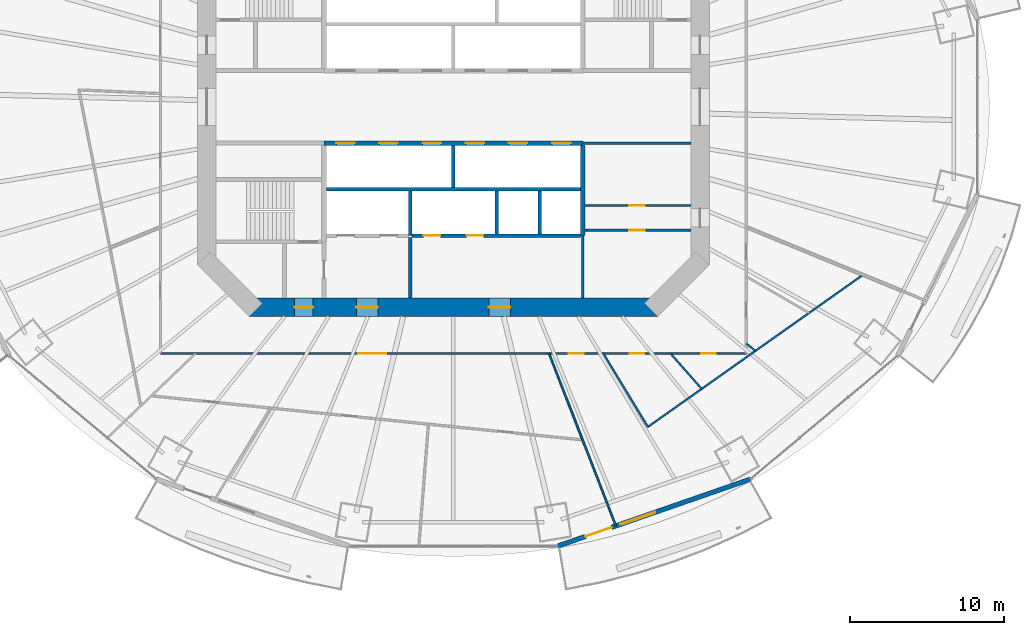
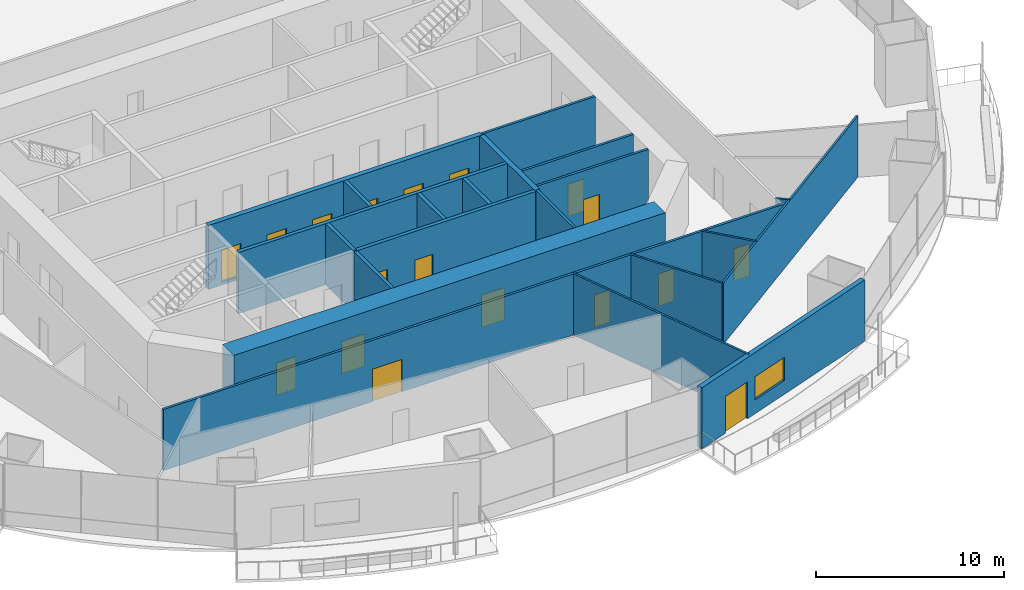
# One storey, part 14 of 22: 21 walls, 18 doors, 1 window, 19 openings.
"""IFC4 building model written with IfcOpenShell, lengths in metres."""

from ifc_helpers import new_model, si_unit, direction, frame, frame_2d, origin, place, context, subcontext, project, spatial, rectangle, extrude, material, layer, layer_set, type_object, element, fill, save


model = new_model("IFC4")

# Units and contexts
model_context = context("Model", 3, precision=1e-05, world=origin(), true_north=direction((0.0, 1.0)))
body_context = subcontext(model_context, "Body", "Model", "MODEL_VIEW")
ifc_project = project(units=[si_unit("LENGTHUNIT", "METRE"), si_unit("AREAUNIT", "SQUARE_METRE"), si_unit("VOLUMEUNIT", "CUBIC_METRE"), si_unit("PLANEANGLEUNIT", "RADIAN"), si_unit("MASSUNIT", "GRAM", prefix="KILO")], contexts=[model_context])

# Site, building, storey
site_placement = place(None, origin())
site = spatial("IfcSite", under=ifc_project, at=site_placement, CompositionType="ELEMENT")
building_placement = place(site_placement, origin())
building = spatial("IfcBuilding", under=site, at=building_placement, Name="Marenthal Gate Tower", CompositionType="ELEMENT")
storey_placement = place(building_placement, frame((0.0, 0.0, 99.39990234375)))
storey = spatial("IfcBuildingStorey", under=building, at=storey_placement, Name="L20", CompositionType="ELEMENT", Elevation=99.39990234375)

# Wall, openings, doors
ifc_material_1 = material(Name="Concrete 60 MPa", Category="concrete")
ifc_layer_1 = layer(ifc_material_1, 1.199951171875)
ifc_layer_set_1 = layer_set([ifc_layer_1], Name="Core shear wall 1200")
wall_type_1 = type_object("IfcWallType", Name="Core shear wall 1200", PredefinedType="SHEAR", material=ifc_layer_set_1)
wall_1_placement = place(storey_placement, frame((-13.24853515625, -13.0, -0.179931640625), z_axis=(0.0, 0.0, 1.0), x_axis=(1.0, 0.0, 0.0)))
wall_1 = element("IfcWall", 1, at=wall_1_placement, inside=storey, type_object=wall_type_1, Name="Core wall 08", PredefinedType="SHEAR", context=body_context, shape_type="SweptSolid", body=[
    extrude(rectangle(XDim=26.4970703125, YDim=1.199951171875, at=frame_2d((13.24853515625, 0.0))), origin(), (0.0, 0.0, 1.0), 4.150146484375),
])
opening_1_placement = place(wall_1_placement, frame((2.948486328125, 0.0, 0.179931640625)))
opening_1 = element("IfcOpeningElement", 2, at=opening_1_placement, cuts=wall_1, Name="Opening D001.06", PredefinedType="OPENING", context=body_context, shape_type="SweptSolid", body=[
    extrude(rectangle(XDim=1.199951171875, YDim=2.10009765625, at=frame_2d((0.60009765625, 1.050048828125))), frame((0.0, 0.60986328125, 0.0), z_axis=(0.0, -1.0, 0.0), x_axis=(1.0, 0.0, 0.0)), (0.0, 0.0, 1.0), 1.219970703125),
])
opening_2_placement = place(wall_1_placement, frame((6.948486328125, 0.0, 0.179931640625)))
opening_2 = element("IfcOpeningElement", 3, at=opening_2_placement, cuts=wall_1, Name="Opening D004.01", PredefinedType="OPENING", context=body_context, shape_type="SweptSolid", body=[
    extrude(rectangle(XDim=1.39990234375, YDim=2.10009765625, at=frame_2d((0.699951171875, 1.050048828125))), frame((0.0, 0.60986328125, 0.0), z_axis=(0.0, -1.0, 0.0), x_axis=(1.0, 0.0, 0.0)), (0.0, 0.0, 1.0), 1.219970703125),
])
opening_3_placement = place(wall_1_placement, frame((15.548583984375, 0.0, 0.179931640625)))
opening_3 = element("IfcOpeningElement", 4, at=opening_3_placement, cuts=wall_1, Name="Opening D004.02", PredefinedType="OPENING", context=body_context, shape_type="SweptSolid", body=[
    extrude(rectangle(XDim=1.39990234375, YDim=2.10009765625, at=frame_2d((0.699951171875, 1.050048828125))), frame((0.0, 0.60986328125, 0.0), z_axis=(0.0, -1.0, 0.0), x_axis=(1.0, 0.0, 0.0)), (0.0, 0.0, 1.0), 1.219970703125),
])
ifc_material_2 = material(Name="Steel fire door", Category="steel")
door_type_1 = type_object("IfcDoorType", Name="Fire door FD 45 1400 x 2100", OperationType="NOTDEFINED", PredefinedType="DOOR", material=ifc_material_2)
door_1_placement = place(opening_2_placement, origin())
door_1 = element("IfcDoor", 5, at=door_1_placement, inside=storey, type_object=door_type_1, Name="Door D004.01", OperationType="SINGLE_SWING_RIGHT", OverallHeight=2.10009765625, OverallWidth=1.39990234375, PredefinedType="DOOR", context=body_context, shape_type="SweptSolid", body=[
    extrude(rectangle(XDim=1.39990234375, YDim=2.10009765625, at=frame_2d((0.699951171875, 1.050048828125))), frame((0.0, 0.02490234375, 0.0), z_axis=(0.0, -1.0, 0.0), x_axis=(1.0, 0.0, 0.0)), (0.0, 0.0, 1.0), 0.050048828125),
])
fill(opening_2, door_1)
door_2_placement = place(opening_3_placement, origin())
door_2 = element("IfcDoor", 6, at=door_2_placement, inside=storey, type_object=door_type_1, Name="Door D004.02", OperationType="SINGLE_SWING_RIGHT", OverallHeight=2.10009765625, OverallWidth=1.39990234375, PredefinedType="DOOR", context=body_context, shape_type="SweptSolid", body=[
    extrude(rectangle(XDim=1.39990234375, YDim=2.10009765625, at=frame_2d((0.699951171875, 1.050048828125))), frame((0.0, 0.02490234375, 0.0), z_axis=(0.0, -1.0, 0.0), x_axis=(1.0, 0.0, 0.0)), (0.0, 0.0, 1.0), 0.050048828125),
])
fill(opening_3, door_2)
ifc_material_3 = material(Name="Steel fire door", Category="steel")
door_type_2 = type_object("IfcDoorType", Name="Fire door FD 90 1200 x 2100", OperationType="NOTDEFINED", PredefinedType="DOOR", material=ifc_material_3)
door_3_placement = place(opening_1_placement, origin())
door_3 = element("IfcDoor", 7, at=door_3_placement, inside=storey, type_object=door_type_2, Name="Door D001.06", OperationType="SINGLE_SWING_RIGHT", OverallHeight=2.10009765625, OverallWidth=1.199951171875, PredefinedType="DOOR", context=body_context, shape_type="SweptSolid", body=[
    extrude(rectangle(XDim=1.199951171875, YDim=2.10009765625, at=frame_2d((0.60009765625, 1.050048828125))), frame((0.0, 0.02490234375, 0.0), z_axis=(0.0, -1.0, 0.0), x_axis=(1.0, 0.0, 0.0)), (0.0, 0.0, 1.0), 0.050048828125),
])
fill(opening_1, door_3)

# Wall
ifc_material_4 = material(Name="Gypsum board on steel studs", Category="steel")
ifc_layer_2 = layer(ifc_material_4, 0.199951171875)
ifc_layer_set_2 = layer_set([ifc_layer_2], Name="Fire lobby wall 200")
wall_type_2 = type_object("IfcWallType", Name="Fire lobby wall 200", PredefinedType="PARTITIONING", material=ifc_layer_set_2)
wall_2_placement = place(storey_placement, frame((-2.800048828125, -12.39990234375, 0.0), z_axis=(0.0, 0.0, 1.0), x_axis=(0.0, 1.0, 0.0)))
element("IfcWall", 8, at=wall_2_placement, inside=storey, type_object=wall_type_2, Name="Fire wall 34", PredefinedType="PARTITIONING", context=body_context, shape_type="SweptSolid", body=[
    extrude(rectangle(XDim=3.93994140625, YDim=0.199951171875, at=frame_2d((1.969970703125, 0.0))), origin(), (0.0, 0.0, 1.0), 3.97021484375),
])

# Wall, openings, doors
ifc_material_5 = material(Name="Concrete 50 MPa", Category="concrete")
ifc_layer_3 = layer(ifc_material_5, 0.300048828125)
ifc_layer_set_3 = layer_set([ifc_layer_3], Name="Hoistway shear wall 300")
wall_type_3 = type_object("IfcWallType", Name="Hoistway shear wall 300", PredefinedType="SHEAR", material=ifc_layer_set_3)
wall_3_placement = place(storey_placement, frame((-8.39990234375, -2.35009765625, -0.179931640625), z_axis=(0.0, 0.0, 1.0), x_axis=(1.0, 0.0, 0.0)))
wall_3 = element("IfcWall", 9, at=wall_3_placement, inside=storey, type_object=wall_type_3, Name="Hoistway wall 17", PredefinedType="SHEAR", context=body_context, shape_type="SweptSolid", body=[
    extrude(rectangle(XDim=16.7998046875, YDim=0.300048828125, at=frame_2d((8.39990234375, 0.0))), origin(), (0.0, 0.0, 1.0), 4.150146484375),
])
opening_4_placement = place(wall_3_placement, frame((0.800048828125, 0.0, 0.179931640625)))
opening_4 = element("IfcOpeningElement", 10, at=opening_4_placement, cuts=wall_3, Name="Opening LD-LP7", PredefinedType="OPENING", context=body_context, shape_type="SweptSolid", body=[
    extrude(rectangle(XDim=1.199951171875, YDim=2.10009765625, at=frame_2d((0.60009765625, 1.050048828125))), frame((0.0, 0.16015625, 0.0), z_axis=(0.0, -1.0, 0.0), x_axis=(1.0, 0.0, 0.0)), (0.0, 0.0, 1.0), 0.320068359375),
])
opening_5_placement = place(wall_3_placement, frame((3.60009765625, 0.0, 0.179931640625)))
opening_5 = element("IfcOpeningElement", 11, at=opening_5_placement, cuts=wall_3, Name="Opening LD-LP8", PredefinedType="OPENING", context=body_context, shape_type="SweptSolid", body=[
    extrude(rectangle(XDim=1.199951171875, YDim=2.10009765625, at=frame_2d((0.60009765625, 1.050048828125))), frame((0.0, 0.16015625, 0.0), z_axis=(0.0, -1.0, 0.0), x_axis=(1.0, 0.0, 0.0)), (0.0, 0.0, 1.0), 0.320068359375),
])
opening_6_placement = place(wall_3_placement, frame((6.39990234375, 0.0, 0.179931640625)))
opening_6 = element("IfcOpeningElement", 12, at=opening_6_placement, cuts=wall_3, Name="Opening LD-LP9", PredefinedType="OPENING", context=body_context, shape_type="SweptSolid", body=[
    extrude(rectangle(XDim=1.199951171875, YDim=2.10009765625, at=frame_2d((0.60009765625, 1.050048828125))), frame((0.0, 0.16015625, 0.0), z_axis=(0.0, -1.0, 0.0), x_axis=(1.0, 0.0, 0.0)), (0.0, 0.0, 1.0), 0.320068359375),
])
opening_7_placement = place(wall_3_placement, frame((9.199951171875, 0.0, 0.179931640625)))
opening_7 = element("IfcOpeningElement", 13, at=opening_7_placement, cuts=wall_3, Name="Opening LD-LP10", PredefinedType="OPENING", context=body_context, shape_type="SweptSolid", body=[
    extrude(rectangle(XDim=1.199951171875, YDim=2.10009765625, at=frame_2d((0.60009765625, 1.050048828125))), frame((0.0, 0.16015625, 0.0), z_axis=(0.0, -1.0, 0.0), x_axis=(1.0, 0.0, 0.0)), (0.0, 0.0, 1.0), 0.320068359375),
])
opening_8_placement = place(wall_3_placement, frame((12.0, 0.0, 0.179931640625)))
opening_8 = element("IfcOpeningElement", 14, at=opening_8_placement, cuts=wall_3, Name="Opening LD-LP11", PredefinedType="OPENING", context=body_context, shape_type="SweptSolid", body=[
    extrude(rectangle(XDim=1.199951171875, YDim=2.10009765625, at=frame_2d((0.60009765625, 1.050048828125))), frame((0.0, 0.16015625, 0.0), z_axis=(0.0, -1.0, 0.0), x_axis=(1.0, 0.0, 0.0)), (0.0, 0.0, 1.0), 0.320068359375),
])
opening_9_placement = place(wall_3_placement, frame((14.800048828125, 0.0, 0.179931640625)))
opening_9 = element("IfcOpeningElement", 15, at=opening_9_placement, cuts=wall_3, Name="Opening LD-LP12", PredefinedType="OPENING", context=body_context, shape_type="SweptSolid", body=[
    extrude(rectangle(XDim=1.199951171875, YDim=2.10009765625, at=frame_2d((0.60009765625, 1.050048828125))), frame((0.0, 0.16015625, 0.0), z_axis=(0.0, -1.0, 0.0), x_axis=(1.0, 0.0, 0.0)), (0.0, 0.0, 1.0), 0.320068359375),
])
ifc_material_6 = material(Name="Stainless steel sliding door", Category="steel")
door_type_3 = type_object("IfcDoorType", Name="Lift landing door FD 90 1200 x 2100", OperationType="DOUBLE_DOOR_SLIDING", PredefinedType="DOOR", material=ifc_material_6)
door_4_placement = place(opening_4_placement, origin())
door_4 = element("IfcDoor", 16, at=door_4_placement, inside=storey, type_object=door_type_3, Name="Lift landing door LP7", OperationType="DOUBLE_DOOR_SLIDING", OverallHeight=2.10009765625, OverallWidth=1.199951171875, PredefinedType="DOOR", context=body_context, shape_type="SweptSolid", body=[
    extrude(rectangle(XDim=1.199951171875, YDim=2.10009765625, at=frame_2d((0.60009765625, 1.050048828125))), frame((0.0, 0.02490234375, 0.0), z_axis=(0.0, -1.0, 0.0), x_axis=(1.0, 0.0, 0.0)), (0.0, 0.0, 1.0), 0.050048828125),
])
fill(opening_4, door_4)
door_5_placement = place(opening_5_placement, origin())
door_5 = element("IfcDoor", 17, at=door_5_placement, inside=storey, type_object=door_type_3, Name="Lift landing door LP8", OperationType="DOUBLE_DOOR_SLIDING", OverallHeight=2.10009765625, OverallWidth=1.199951171875, PredefinedType="DOOR", context=body_context, shape_type="SweptSolid", body=[
    extrude(rectangle(XDim=1.199951171875, YDim=2.10009765625, at=frame_2d((0.60009765625, 1.050048828125))), frame((0.0, 0.02490234375, 0.0), z_axis=(0.0, -1.0, 0.0), x_axis=(1.0, 0.0, 0.0)), (0.0, 0.0, 1.0), 0.050048828125),
])
fill(opening_5, door_5)
door_6_placement = place(opening_6_placement, origin())
door_6 = element("IfcDoor", 18, at=door_6_placement, inside=storey, type_object=door_type_3, Name="Lift landing door LP9", OperationType="DOUBLE_DOOR_SLIDING", OverallHeight=2.10009765625, OverallWidth=1.199951171875, PredefinedType="DOOR", context=body_context, shape_type="SweptSolid", body=[
    extrude(rectangle(XDim=1.199951171875, YDim=2.10009765625, at=frame_2d((0.60009765625, 1.050048828125))), frame((0.0, 0.02490234375, 0.0), z_axis=(0.0, -1.0, 0.0), x_axis=(1.0, 0.0, 0.0)), (0.0, 0.0, 1.0), 0.050048828125),
])
fill(opening_6, door_6)
door_7_placement = place(opening_7_placement, origin())
door_7 = element("IfcDoor", 19, at=door_7_placement, inside=storey, type_object=door_type_3, Name="Lift landing door LP10", OperationType="DOUBLE_DOOR_SLIDING", OverallHeight=2.10009765625, OverallWidth=1.199951171875, PredefinedType="DOOR", context=body_context, shape_type="SweptSolid", body=[
    extrude(rectangle(XDim=1.199951171875, YDim=2.10009765625, at=frame_2d((0.60009765625, 1.050048828125))), frame((0.0, 0.02490234375, 0.0), z_axis=(0.0, -1.0, 0.0), x_axis=(1.0, 0.0, 0.0)), (0.0, 0.0, 1.0), 0.050048828125),
])
fill(opening_7, door_7)
door_8_placement = place(opening_8_placement, origin())
door_8 = element("IfcDoor", 20, at=door_8_placement, inside=storey, type_object=door_type_3, Name="Lift landing door LP11", OperationType="DOUBLE_DOOR_SLIDING", OverallHeight=2.10009765625, OverallWidth=1.199951171875, PredefinedType="DOOR", context=body_context, shape_type="SweptSolid", body=[
    extrude(rectangle(XDim=1.199951171875, YDim=2.10009765625, at=frame_2d((0.60009765625, 1.050048828125))), frame((0.0, 0.02490234375, 0.0), z_axis=(0.0, -1.0, 0.0), x_axis=(1.0, 0.0, 0.0)), (0.0, 0.0, 1.0), 0.050048828125),
])
fill(opening_8, door_8)
door_9_placement = place(opening_9_placement, origin())
door_9 = element("IfcDoor", 21, at=door_9_placement, inside=storey, type_object=door_type_3, Name="Lift landing door LP12", OperationType="DOUBLE_DOOR_SLIDING", OverallHeight=2.10009765625, OverallWidth=1.199951171875, PredefinedType="DOOR", context=body_context, shape_type="SweptSolid", body=[
    extrude(rectangle(XDim=1.199951171875, YDim=2.10009765625, at=frame_2d((0.60009765625, 1.050048828125))), frame((0.0, 0.02490234375, 0.0), z_axis=(0.0, -1.0, 0.0), x_axis=(1.0, 0.0, 0.0)), (0.0, 0.0, 1.0), 0.050048828125),
])
fill(opening_9, door_9)

# Wall
wall_4_placement = place(storey_placement, frame((8.39990234375, -8.35009765625, -0.179931640625), z_axis=(0.0, 0.0, 1.0), x_axis=(0.0, 1.0, 0.0)))
element("IfcWall", 22, at=wall_4_placement, inside=storey, type_object=wall_type_3, Name="Hoistway wall 43", PredefinedType="SHEAR", context=body_context, shape_type="SweptSolid", body=[
    extrude(rectangle(XDim=5.85009765625, YDim=0.300048828125, at=frame_2d((2.925048828125, 0.0))), origin(), (0.0, 0.0, 1.0), 4.150146484375),
])

# Wall, openings, doors
ifc_material_7 = material(Name="Concrete 40 MPa", Category="concrete")
ifc_layer_4 = layer(ifc_material_7, 0.219970703125)
ifc_layer_set_4 = layer_set([ifc_layer_4], Name="Hoistway wall 220")
wall_type_4 = type_object("IfcWallType", Name="Hoistway wall 220", PredefinedType="STANDARD", material=ifc_layer_set_4)
wall_5_placement = place(storey_placement, frame((-2.68994140625, -8.35009765625, 0.0), z_axis=(0.0, 0.0, 1.0), x_axis=(1.0, 0.0, 0.0)))
wall_5 = element("IfcWall", 23, at=wall_5_placement, inside=storey, type_object=wall_type_4, Name="Hoistway wall 11", PredefinedType="STANDARD", context=body_context, shape_type="SweptSolid", body=[
    extrude(rectangle(XDim=10.93994140625, YDim=0.219970703125, at=frame_2d((5.469970703125, 0.0))), origin(), (0.0, 0.0, 1.0), 3.97021484375),
])
opening_10_placement = place(wall_5_placement, frame((0.739990234375, 0.0, 0.0)))
opening_10 = element("IfcOpeningElement", 24, at=opening_10_placement, cuts=wall_5, Name="Opening LD-SV1", PredefinedType="OPENING", context=body_context, shape_type="SweptSolid", body=[
    extrude(rectangle(XDim=1.10009765625, YDim=2.10009765625, at=frame_2d((0.550048828125, 1.050048828125))), frame((0.0, 0.1201171875, 0.0), z_axis=(0.0, -1.0, 0.0), x_axis=(1.0, 0.0, 0.0)), (0.0, 0.0, 1.0), 0.239990234375),
])
opening_11_placement = place(wall_5_placement, frame((3.5400390625, 0.0, 0.0)))
opening_11 = element("IfcOpeningElement", 25, at=opening_11_placement, cuts=wall_5, Name="Opening LD-SV2", PredefinedType="OPENING", context=body_context, shape_type="SweptSolid", body=[
    extrude(rectangle(XDim=1.10009765625, YDim=2.10009765625, at=frame_2d((0.550048828125, 1.050048828125))), frame((0.0, 0.1201171875, 0.0), z_axis=(0.0, -1.0, 0.0), x_axis=(1.0, 0.0, 0.0)), (0.0, 0.0, 1.0), 0.239990234375),
])
ifc_material_8 = material(Name="Stainless steel sliding door", Category="steel")
door_type_4 = type_object("IfcDoorType", Name="Lift landing door FD 90 1100 x 2100", OperationType="DOUBLE_DOOR_SLIDING", PredefinedType="DOOR", material=ifc_material_8)
door_10_placement = place(opening_10_placement, origin())
door_10 = element("IfcDoor", 26, at=door_10_placement, inside=storey, type_object=door_type_4, Name="Lift landing door SV1", OperationType="DOUBLE_DOOR_SLIDING", OverallHeight=2.10009765625, OverallWidth=1.10009765625, PredefinedType="DOOR", context=body_context, shape_type="SweptSolid", body=[
    extrude(rectangle(XDim=1.10009765625, YDim=2.10009765625, at=frame_2d((0.550048828125, 1.050048828125))), frame((0.0, 0.02490234375, 0.0), z_axis=(0.0, -1.0, 0.0), x_axis=(1.0, 0.0, 0.0)), (0.0, 0.0, 1.0), 0.050048828125),
])
fill(opening_10, door_10)
door_11_placement = place(opening_11_placement, origin())
door_11 = element("IfcDoor", 27, at=door_11_placement, inside=storey, type_object=door_type_4, Name="Lift landing door SV2", OperationType="DOUBLE_DOOR_SLIDING", OverallHeight=2.10009765625, OverallWidth=1.10009765625, PredefinedType="DOOR", context=body_context, shape_type="SweptSolid", body=[
    extrude(rectangle(XDim=1.10009765625, YDim=2.10009765625, at=frame_2d((0.550048828125, 1.050048828125))), frame((0.0, 0.02490234375, 0.0), z_axis=(0.0, -1.0, 0.0), x_axis=(1.0, 0.0, 0.0)), (0.0, 0.0, 1.0), 0.050048828125),
])
fill(opening_11, door_11)

# Walls
wall_6_placement = place(storey_placement, frame((-8.25, -5.35009765625, 0.0), z_axis=(0.0, 0.0, 1.0), x_axis=(1.0, 0.0, 0.0)))
element("IfcWall", 28, at=wall_6_placement, inside=storey, type_object=wall_type_4, Name="Hoistway wall 14", PredefinedType="STANDARD", context=body_context, shape_type="SweptSolid", body=[
    extrude(rectangle(XDim=16.5, YDim=0.219970703125, at=frame_2d((8.25, 0.0))), origin(), (0.0, 0.0, 1.0), 3.97021484375),
])
wall_7_placement = place(storey_placement, frame((-2.800048828125, -8.35009765625, 0.0), z_axis=(0.0, 0.0, 1.0), x_axis=(0.0, 1.0, 0.0)))
element("IfcWall", 29, at=wall_7_placement, inside=storey, type_object=wall_type_4, Name="Hoistway wall 35", PredefinedType="STANDARD", context=body_context, shape_type="SweptSolid", body=[
    extrude(rectangle(XDim=2.89013671875, YDim=0.219970703125, at=frame_2d((1.445068359375, 0.0))), origin(), (0.0, 0.0, 1.0), 3.97021484375),
])
wall_8_placement = place(storey_placement, frame((0.0, -5.239990234375, 0.0), z_axis=(0.0, 0.0, 1.0), x_axis=(0.0, 1.0, 0.0)))
element("IfcWall", 30, at=wall_8_placement, inside=storey, type_object=wall_type_4, Name="Hoistway wall 36", PredefinedType="STANDARD", context=body_context, shape_type="SweptSolid", body=[
    extrude(rectangle(XDim=2.739990234375, YDim=0.219970703125, at=frame_2d((1.3701171875, 0.0))), origin(), (0.0, 0.0, 1.0), 3.97021484375),
])
for number, where, z_axis, x_axis, name in (
    (31, (2.800048828125, -8.239990234375, 0.0), (0.0, 0.0, 1.0), (0.0, 1.0, 0.0), "Hoistway wall 38"),
    (32, (5.60009765625, -8.239990234375, 0.0), (0.0, 0.0, 1.0), (0.0, 1.0, 0.0), "Hoistway wall 41"),
):
    element("IfcWall", number, at=place(storey_placement, frame(where, z_axis=z_axis, x_axis=x_axis)), inside=storey, type_object=wall_type_4, Name=name, PredefinedType="STANDARD", context=body_context, shape_type="SweptSolid", body=[
        extrude(rectangle(XDim=2.780029296875, YDim=0.219970703125, at=frame_2d((1.39013671875, 0.0))), origin(), (0.0, 0.0, 1.0), 3.97021484375),
    ])
ifc_material_9 = material(Name="Gypsum board on steel studs", Category="steel")
ifc_layer_5 = layer(ifc_material_9, 0.1201171875)
ifc_layer_set_5 = layer_set([ifc_layer_5], Name="Partition 120")
wall_type_5 = type_object("IfcWallType", Name="Partition 120", PredefinedType="PARTITIONING", material=ifc_layer_set_5)
wall_9_placement = place(storey_placement, frame((6.205078125, -16.0, 0.0), z_axis=(0.0, 0.0, 1.0), x_axis=(0.361589601178, -0.932337364005, 0.0)))
element("IfcWall", 33, at=wall_9_placement, inside=storey, type_object=wall_type_5, Name="Partition wall 57", PredefinedType="PARTITIONING", context=body_context, shape_type="SweptSolid", body=[
    extrude(rectangle(XDim=11.99462890625, YDim=0.1201171875, at=frame_2d((5.997314453125, 0.0))), origin(), (0.0, 0.0, 1.0), 3.97021484375),
])
wall_10_placement = place(storey_placement, frame((12.618896484375, -20.7607421875, 0.0), z_axis=(0.0, 0.0, 1.0), x_axis=(0.816544971261, 0.57728182884, 0.0)))
element("IfcWall", 34, at=wall_10_placement, inside=storey, type_object=wall_type_5, Name="Partition wall 58", PredefinedType="PARTITIONING", context=body_context, shape_type="SweptSolid", body=[
    extrude(rectangle(XDim=17.080322265625, YDim=0.1201171875, at=frame_2d((8.5400390625, 0.0))), origin(), (0.0, 0.0, 1.0), 3.97021484375),
])
wall_11_placement = place(storey_placement, frame((12.618896484375, -20.7607421875, 0.0), z_axis=(0.0, 0.0, 1.0), x_axis=(-0.519417180042, 0.854520797335, 0.0)))
element("IfcWall", 35, at=wall_11_placement, inside=storey, type_object=wall_type_5, Name="Partition wall 59", PredefinedType="PARTITIONING", context=body_context, shape_type="SweptSolid", body=[
    extrude(rectangle(XDim=5.5712890625, YDim=0.1201171875, at=frame_2d((2.78564453125, 0.0))), origin(), (0.0, 0.0, 1.0), 3.97021484375),
])
wall_12_placement = place(storey_placement, frame((16.105712890625, -18.295654296875, 0.0), z_axis=(0.0, 0.0, 1.0), x_axis=(-0.660779035131, 0.750580486511, 0.0)))
element("IfcWall", 36, at=wall_12_placement, inside=storey, type_object=wall_type_5, Name="Partition wall 60", PredefinedType="PARTITIONING", context=body_context, shape_type="SweptSolid", body=[
    extrude(rectangle(XDim=3.05859375, YDim=0.1201171875, at=frame_2d((1.529296875, 0.0))), origin(), (0.0, 0.0, 1.0), 3.97021484375),
])
wall_13_placement = place(storey_placement, frame((19.59228515625, -15.830810546875, 0.0), z_axis=(0.0, 0.0, 1.0), x_axis=(-0.777700050574, 0.628635531399, 0.0)))
element("IfcWall", 37, at=wall_13_placement, inside=storey, type_object=wall_type_5, Name="Partition wall 64", PredefinedType="PARTITIONING", context=body_context, shape_type="SweptSolid", body=[
    extrude(rectangle(XDim=0.761474609375, YDim=0.1201171875, at=frame_2d((0.380859375, 0.0))), origin(), (0.0, 0.0, 1.0), 3.97021484375),
])

# Wall, opening, door
ifc_material_10 = material(Name="Gypsum board on steel studs", Category="steel")
ifc_layer_6 = layer(ifc_material_10, 0.14990234375)
ifc_layer_set_6 = layer_set([ifc_layer_6], Name="Partition 150")
wall_type_6 = type_object("IfcWallType", Name="Partition 150", PredefinedType="PARTITIONING", material=ifc_layer_set_6)
wall_14_placement = place(storey_placement, frame((8.550048828125, -8.0, 0.0), z_axis=(0.0, 0.0, 1.0), x_axis=(1.0, 0.0, 0.0)))
wall_14 = element("IfcWall", 38, at=wall_14_placement, inside=storey, type_object=wall_type_6, Name="Partition wall 12", PredefinedType="PARTITIONING", context=body_context, shape_type="SweptSolid", body=[
    extrude(rectangle(XDim=6.849853515625, YDim=0.14990234375, at=frame_2d((3.4248046875, 0.0))), origin(), (0.0, 0.0, 1.0), 3.97021484375),
])
opening_12_placement = place(wall_14_placement, frame((2.85009765625, 0.0, 0.0)))
opening_12 = element("IfcOpeningElement", 39, at=opening_12_placement, cuts=wall_14, Name="Opening D005.04", PredefinedType="OPENING", context=body_context, shape_type="SweptSolid", body=[
    extrude(rectangle(XDim=1.0, YDim=2.10009765625, at=frame_2d((0.5, 1.050048828125))), frame((0.0, 0.0849609375, 0.0), z_axis=(0.0, -1.0, 0.0), x_axis=(1.0, 0.0, 0.0)), (0.0, 0.0, 1.0), 0.169921875),
])
ifc_material_11 = material(Name="Steel fire door", Category="steel")
door_type_5 = type_object("IfcDoorType", Name="Fire door FD 45 1000 x 2100", OperationType="NOTDEFINED", PredefinedType="DOOR", material=ifc_material_11)
door_12_placement = place(opening_12_placement, frame((1.0, 0.0, 0.0), z_axis=(0.0, 0.0, 1.0), x_axis=(-1.0, 0.0, 0.0)))
door_12 = element("IfcDoor", 40, at=door_12_placement, inside=storey, type_object=door_type_5, Name="Door D005.04", OperationType="SINGLE_SWING_LEFT", OverallHeight=2.10009765625, OverallWidth=1.0, PredefinedType="DOOR", context=body_context, shape_type="SweptSolid", body=[
    extrude(rectangle(XDim=1.0, YDim=2.10009765625, at=frame_2d((0.5, 1.050048828125))), frame((0.0, 0.02490234375, 0.0), z_axis=(0.0, -1.0, 0.0), x_axis=(1.0, 0.0, 0.0)), (0.0, 0.0, 1.0), 0.050048828125),
])
fill(opening_12, door_12)

wall_15_placement = place(storey_placement, frame((8.550048828125, -6.39990234375, 0.0), z_axis=(0.0, 0.0, 1.0), x_axis=(1.0, 0.0, 0.0)))
wall_15 = element("IfcWall", 41, at=wall_15_placement, inside=storey, type_object=wall_type_6, Name="Partition wall 13", PredefinedType="PARTITIONING", context=body_context, shape_type="SweptSolid", body=[
    extrude(rectangle(XDim=6.849853515625, YDim=0.14990234375, at=frame_2d((3.4248046875, 0.0))), origin(), (0.0, 0.0, 1.0), 3.97021484375),
])
opening_13_placement = place(wall_15_placement, frame((2.85009765625, 0.0, 0.0)))
opening_13 = element("IfcOpeningElement", 42, at=opening_13_placement, cuts=wall_15, Name="Opening D005.03", PredefinedType="OPENING", context=body_context, shape_type="SweptSolid", body=[
    extrude(rectangle(XDim=1.0, YDim=2.10009765625, at=frame_2d((0.5, 1.050048828125))), frame((0.0, 0.0849609375, 0.0), z_axis=(0.0, -1.0, 0.0), x_axis=(1.0, 0.0, 0.0)), (0.0, 0.0, 1.0), 0.169921875),
])
door_13_placement = place(opening_13_placement, origin())
door_13 = element("IfcDoor", 43, at=door_13_placement, inside=storey, type_object=door_type_5, Name="Door D005.03", OperationType="SINGLE_SWING_RIGHT", OverallHeight=2.10009765625, OverallWidth=1.0, PredefinedType="DOOR", context=body_context, shape_type="SweptSolid", body=[
    extrude(rectangle(XDim=1.0, YDim=2.10009765625, at=frame_2d((0.5, 1.050048828125))), frame((0.0, 0.02490234375, 0.0), z_axis=(0.0, -1.0, 0.0), x_axis=(1.0, 0.0, 0.0)), (0.0, 0.0, 1.0), 0.050048828125),
])
fill(opening_13, door_13)

# Walls
wall_16_placement = place(storey_placement, frame((8.39990234375, -2.35009765625, 0.0), z_axis=(0.0, 0.0, 1.0), x_axis=(1.0, 0.0, 0.0)))
element("IfcWall", 44, at=wall_16_placement, inside=storey, type_object=wall_type_6, Name="Partition wall 18", PredefinedType="PARTITIONING", context=body_context, shape_type="SweptSolid", body=[
    extrude(rectangle(XDim=7.0, YDim=0.14990234375, at=frame_2d((3.5, 0.0))), origin(), (0.0, 0.0, 1.0), 3.97021484375),
])
wall_17_placement = place(storey_placement, frame((8.39990234375, -12.39990234375, 0.0), z_axis=(0.0, 0.0, 1.0), x_axis=(0.0, 1.0, 0.0)))
element("IfcWall", 45, at=wall_17_placement, inside=storey, type_object=wall_type_6, Name="Partition wall 42", PredefinedType="PARTITIONING", context=body_context, shape_type="SweptSolid", body=[
    extrude(rectangle(XDim=4.0498046875, YDim=0.14990234375, at=frame_2d((2.02490234375, 0.0))), origin(), (0.0, 0.0, 1.0), 3.97021484375),
])

# Wall, openings, doors
wall_18_placement = place(storey_placement, frame((19.0, -16.0, 0.0), z_axis=(0.0, 0.0, 1.0), x_axis=(-1.0, 0.0, 0.0)))
wall_18 = element("IfcWall", 46, at=wall_18_placement, inside=storey, type_object=wall_type_6, Name="Partition wall 61", PredefinedType="PARTITIONING", context=body_context, shape_type="SweptSolid", body=[
    extrude(rectangle(XDim=38.0, YDim=0.14990234375, at=frame_2d((19.0, 0.0))), origin(), (0.0, 0.0, 1.0), 3.97021484375),
])
opening_14_placement = place(wall_18_placement, frame((23.362060546875, 0.0, 0.0)))
opening_14 = element("IfcOpeningElement", 47, at=opening_14_placement, cuts=wall_18, Name="Opening D014.03", PredefinedType="OPENING", context=body_context, shape_type="SweptSolid", body=[
    extrude(rectangle(XDim=1.800048828125, YDim=2.10009765625, at=frame_2d((0.89990234375, 1.050048828125))), frame((0.0, 0.0849609375, 0.0), z_axis=(0.0, -1.0, 0.0), x_axis=(1.0, 0.0, 0.0)), (0.0, 0.0, 1.0), 0.169921875),
])
opening_15_placement = place(wall_18_placement, frame((6.6201171875, 0.0, 0.0)))
opening_15 = element("IfcOpeningElement", 48, at=opening_15_placement, cuts=wall_18, Name="Opening D016.06", PredefinedType="OPENING", context=body_context, shape_type="SweptSolid", body=[
    extrude(rectangle(XDim=0.949951171875, YDim=2.10009765625, at=frame_2d((0.47509765625, 1.050048828125))), frame((0.0, 0.0849609375, 0.0), z_axis=(0.0, -1.0, 0.0), x_axis=(1.0, 0.0, 0.0)), (0.0, 0.0, 1.0), 0.169921875),
])
opening_16_placement = place(wall_18_placement, frame((1.98193359375, 0.0, 0.0)))
opening_16 = element("IfcOpeningElement", 49, at=opening_16_placement, cuts=wall_18, Name="Opening D016.07", PredefinedType="OPENING", context=body_context, shape_type="SweptSolid", body=[
    extrude(rectangle(XDim=0.949951171875, YDim=2.10009765625, at=frame_2d((0.47509765625, 1.050048828125))), frame((0.0, 0.0849609375, 0.0), z_axis=(0.0, -1.0, 0.0), x_axis=(1.0, 0.0, 0.0)), (0.0, 0.0, 1.0), 0.169921875),
])
opening_17_placement = place(wall_18_placement, frame((10.56005859375, 0.0, 0.0)))
opening_17 = element("IfcOpeningElement", 50, at=opening_17_placement, cuts=wall_18, Name="Opening D016.10", PredefinedType="OPENING", context=body_context, shape_type="SweptSolid", body=[
    extrude(rectangle(XDim=0.949951171875, YDim=2.10009765625, at=frame_2d((0.47509765625, 1.050048828125))), frame((0.0, 0.0849609375, 0.0), z_axis=(0.0, -1.0, 0.0), x_axis=(1.0, 0.0, 0.0)), (0.0, 0.0, 1.0), 0.169921875),
])
ifc_material_12 = material(Name="Timber door", Category="wood")
door_type_6 = type_object("IfcDoorType", Name="Door 950 x 2100", OperationType="NOTDEFINED", PredefinedType="DOOR", material=ifc_material_12)
door_14_placement = place(opening_15_placement, origin())
door_14 = element("IfcDoor", 51, at=door_14_placement, inside=storey, type_object=door_type_6, Name="Door D016.06", OperationType="SINGLE_SWING_RIGHT", OverallHeight=2.10009765625, OverallWidth=0.949951171875, PredefinedType="DOOR", context=body_context, shape_type="SweptSolid", body=[
    extrude(rectangle(XDim=0.949951171875, YDim=2.10009765625, at=frame_2d((0.47509765625, 1.050048828125))), frame((0.0, 0.02490234375, 0.0), z_axis=(0.0, -1.0, 0.0), x_axis=(1.0, 0.0, 0.0)), (0.0, 0.0, 1.0), 0.050048828125),
])
fill(opening_15, door_14)
door_15_placement = place(opening_16_placement, origin())
door_15 = element("IfcDoor", 52, at=door_15_placement, inside=storey, type_object=door_type_6, Name="Door D016.07", OperationType="SINGLE_SWING_RIGHT", OverallHeight=2.10009765625, OverallWidth=0.949951171875, PredefinedType="DOOR", context=body_context, shape_type="SweptSolid", body=[
    extrude(rectangle(XDim=0.949951171875, YDim=2.10009765625, at=frame_2d((0.47509765625, 1.050048828125))), frame((0.0, 0.02490234375, 0.0), z_axis=(0.0, -1.0, 0.0), x_axis=(1.0, 0.0, 0.0)), (0.0, 0.0, 1.0), 0.050048828125),
])
fill(opening_16, door_15)
door_16_placement = place(opening_17_placement, origin())
door_16 = element("IfcDoor", 53, at=door_16_placement, inside=storey, type_object=door_type_6, Name="Door D016.10", OperationType="SINGLE_SWING_RIGHT", OverallHeight=2.10009765625, OverallWidth=0.949951171875, PredefinedType="DOOR", context=body_context, shape_type="SweptSolid", body=[
    extrude(rectangle(XDim=0.949951171875, YDim=2.10009765625, at=frame_2d((0.47509765625, 1.050048828125))), frame((0.0, 0.02490234375, 0.0), z_axis=(0.0, -1.0, 0.0), x_axis=(1.0, 0.0, 0.0)), (0.0, 0.0, 1.0), 0.050048828125),
])
fill(opening_17, door_16)
ifc_material_13 = material(Name="Timber door", Category="wood")
door_type_7 = type_object("IfcDoorType", Name="Double door 1800 x 2100", OperationType="DOUBLE_DOOR_SINGLE_SWING", PredefinedType="DOOR", material=ifc_material_13)
door_17_placement = place(opening_14_placement, origin())
door_17 = element("IfcDoor", 54, at=door_17_placement, inside=storey, type_object=door_type_7, Name="Door D014.03", OperationType="DOUBLE_DOOR_SINGLE_SWING", OverallHeight=2.10009765625, OverallWidth=1.800048828125, PredefinedType="DOOR", context=body_context, shape_type="SweptSolid", body=[
    extrude(rectangle(XDim=1.800048828125, YDim=2.10009765625, at=frame_2d((0.89990234375, 1.050048828125))), frame((0.0, 0.02490234375, 0.0), z_axis=(0.0, -1.0, 0.0), x_axis=(1.0, 0.0, 0.0)), (0.0, 0.0, 1.0), 0.050048828125),
])
fill(opening_14, door_17)

# Wall, openings, door, window
ifc_material_14 = material(Name="Terracotta cladding on insulated concrete-block backing", Category="masonry")
ifc_layer_7 = layer(ifc_material_14, 0.300048828125)
ifc_layer_set_7 = layer_set([ifc_layer_7], Name="Terracotta facade wall 300")
wall_type_7 = type_object("IfcWallType", Name="Terracotta facade wall 300", PredefinedType="SOLIDWALL", material=ifc_layer_set_7)
wall_19_placement = place(storey_placement, frame((6.763427734375, -28.494873046875, 0.0), z_axis=(0.0, 0.0, 1.0), x_axis=(0.944700030718, 0.327935743647, 0.0)))
wall_19 = element("IfcWall", 55, at=wall_19_placement, inside=storey, type_object=wall_type_7, Name="Terracotta facade wall L20 bay 13", PredefinedType="SOLIDWALL", context=body_context, shape_type="SweptSolid", body=[
    extrude(rectangle(XDim=13.228515625, YDim=0.300048828125, at=frame_2d((6.6142578125, 0.0))), origin(), (0.0, 0.0, 1.0), 3.97021484375),
])
opening_18_placement = place(wall_19_placement, frame((1.89990234375, 0.0, 0.0)))
opening_18 = element("IfcOpeningElement", 56, at=opening_18_placement, cuts=wall_19, Name="Opening BD-L20-13", PredefinedType="OPENING", context=body_context, shape_type="SweptSolid", body=[
    extrude(rectangle(XDim=1.800048828125, YDim=2.39990234375, at=frame_2d((0.89990234375, 1.199951171875))), frame((0.0, 0.16015625, 0.0), z_axis=(0.0, -1.0, 0.0), x_axis=(1.0, 0.0, 0.0)), (0.0, 0.0, 1.0), 0.320068359375),
])
opening_19_placement = place(wall_19_placement, frame((4.300048828125, 0.0, 0.89990234375)))
opening_19 = element("IfcOpeningElement", 57, at=opening_19_placement, cuts=wall_19, Name="Opening WN1-L20-13", PredefinedType="OPENING", context=body_context, shape_type="SweptSolid", body=[
    extrude(rectangle(XDim=2.39990234375, YDim=1.5, at=frame_2d((1.199951171875, 0.75))), frame((0.0, 0.16015625, 0.0), z_axis=(0.0, -1.0, 0.0), x_axis=(1.0, 0.0, 0.0)), (0.0, 0.0, 1.0), 0.320068359375),
])
ifc_material_15 = material(Name="Aluminium and glass", Category="aluminium")
door_type_8 = type_object("IfcDoorType", Name="Balcony door 1800x2400", OperationType="DOUBLE_DOOR_SINGLE_SWING", PredefinedType="DOOR", material=ifc_material_15)
door_18_placement = place(opening_18_placement, origin())
door_18 = element("IfcDoor", 58, at=door_18_placement, inside=storey, type_object=door_type_8, Name="Balcony door L20 bay 13", OperationType="SINGLE_SWING_LEFT", OverallHeight=2.39990234375, OverallWidth=1.800048828125, PredefinedType="DOOR", context=body_context, shape_type="SweptSolid", body=[
    extrude(rectangle(XDim=1.800048828125, YDim=2.39990234375, at=frame_2d((0.89990234375, 1.199951171875))), frame((0.0, 0.02490234375, 0.0), z_axis=(0.0, -1.0, 0.0), x_axis=(1.0, 0.0, 0.0)), (0.0, 0.0, 1.0), 0.050048828125),
])
fill(opening_18, door_18)
ifc_material_16 = material(Name="Aluminium and glass", Category="aluminium")
window_type = type_object("IfcWindowType", Name="Window 2400x1500", PartitioningType="TRIPLE_PANEL_VERTICAL", PredefinedType="WINDOW", material=ifc_material_16)
window_placement = place(opening_19_placement, origin())
window = element("IfcWindow", 59, at=window_placement, inside=storey, type_object=window_type, Name="Window L20 bay 13", OverallHeight=1.5, OverallWidth=2.39990234375, PartitioningType="SINGLE_PANEL", PredefinedType="WINDOW", context=body_context, shape_type="SweptSolid", body=[
    extrude(rectangle(XDim=2.39990234375, YDim=1.5, at=frame_2d((1.199951171875, 0.75))), frame((0.0, 0.030029296875, 0.0), z_axis=(0.0, -1.0, 0.0), x_axis=(1.0, 0.0, 0.0)), (0.0, 0.0, 1.0), 0.06005859375),
])
fill(opening_19, window)

save(model, "model.ifc")
